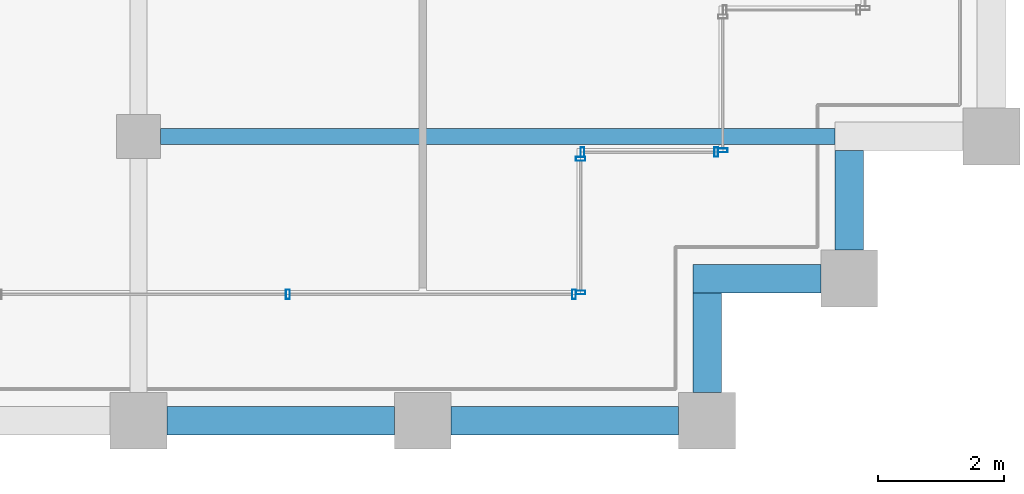
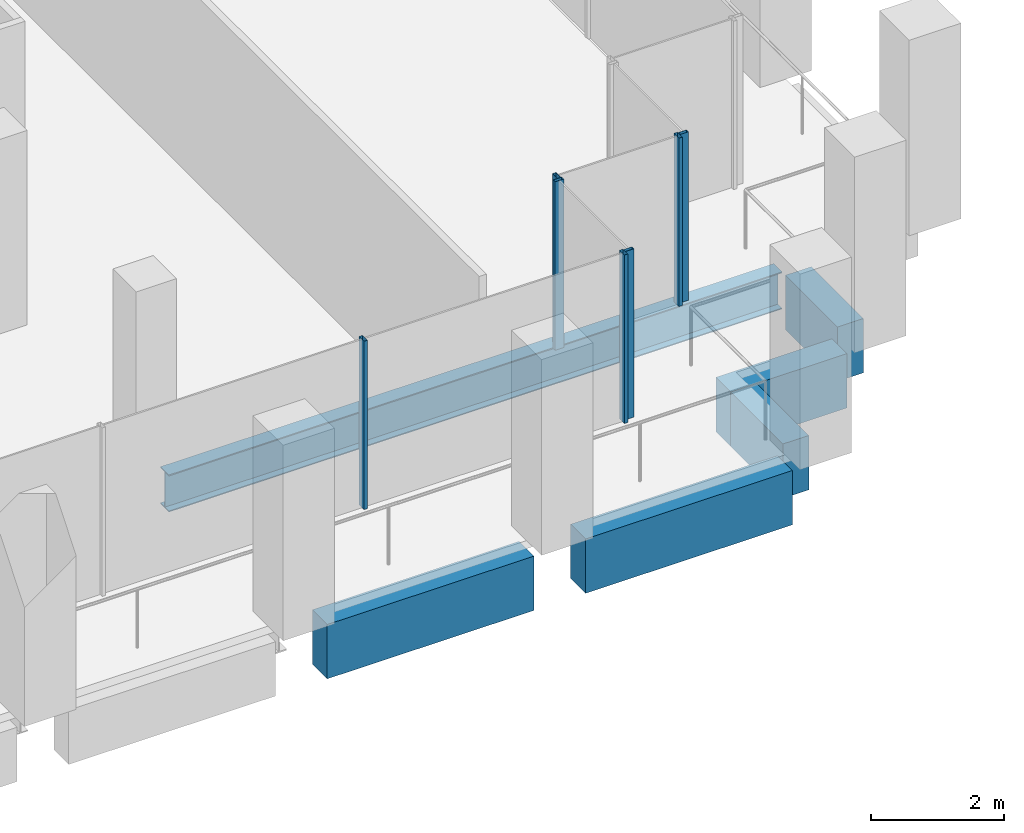
# One storey, part 12 of 40: 7 members, 6 beams, 4 elements without a shape of their own.
"""IFC4 building model written with IfcOpenShell, lengths in metres."""

from ifc_helpers import new_model, si_unit, direction, frame, origin, origin_2d, place, context, subcontext, project, spatial, rectangle, hollow_rectangle, i_section, extrude, material, material_profile, profile_set, type_object, element, aggregate, save


model = new_model("IFC4")

# Units and contexts
model_context = context("Model", 3, precision=1e-05, world=origin(), true_north=direction((0.0, 1.0)))
body_context = subcontext(model_context, "Body", "Model", "MODEL_VIEW")
ifc_project = project(units=[si_unit("LENGTHUNIT", "METRE"), si_unit("AREAUNIT", "SQUARE_METRE"), si_unit("VOLUMEUNIT", "CUBIC_METRE"), si_unit("PLANEANGLEUNIT", "RADIAN"), si_unit("MASSUNIT", "GRAM", prefix="KILO")], contexts=[model_context])

# Site, building, storey
site_placement = place(None, origin())
site = spatial("IfcSite", under=ifc_project, at=site_placement, CompositionType="ELEMENT")
building_placement = place(site_placement, origin())
building = spatial("IfcBuilding", under=site, at=building_placement, Name="Altepetl Exchange Towers", CompositionType="ELEMENT")
storey_placement = place(building_placement, frame((0.0, 0.0, 161.800048828125)))
storey = spatial("IfcBuildingStorey", under=building, at=storey_placement, Name="L40", CompositionType="ELEMENT", Elevation=161.800048828125)

# Beam
ifc_material_1 = material(Name="Steel S355", Category="steel")
ifc_material_profile_1 = material_profile(ifc_material_1, i_section(OverallWidth=0.25390625, OverallDepth=0.68408203125, WebThickness=0.012451171875, FlangeThickness=0.018798828125, at=origin_2d()), Name="W27X94")
ifc_profile_set_1 = profile_set([ifc_material_profile_1], Name="Steel S355")
beam_type_1 = type_object("IfcBeamType", Name="Floor beam W27X94", PredefinedType="BEAM", material=ifc_profile_set_1)
beam_1_placement = place(storey_placement, frame((58.85009765625, 31.5, -0.491943359375), z_axis=(1.0, 0.0, 0.0), x_axis=(0.0, 1.0, 0.0)))
element("IfcBeam", 1, at=beam_1_placement, inside=storey, type_object=beam_type_1, Name="bm:A:L40:006", PredefinedType="BEAM", context=body_context, shape_type="SweptSolid", body=[
    extrude(i_section(OverallWidth=0.25390625, OverallDepth=0.68408203125, WebThickness=0.012451171875, FlangeThickness=0.018798828125, at=origin_2d()), origin(), (0.0, 0.0, 1.0), 10.6748046875),
])

# Curtain wall, members
ifc_material_2 = material(Name="Aluminium 6063-T6 glazing", Category="aluminium")
curtain_wall_type = type_object("IfcCurtainWallType", Name="Loggia glazing system", PredefinedType="NOTDEFINED", material=ifc_material_2)
curtain_wall_1_placement = place(storey_placement, origin())
curtain_wall_1 = element("IfcCurtainWall", 2, at=curtain_wall_1_placement, inside=storey, type_object=curtain_wall_type, Name="CW1 run", PredefinedType="NOTDEFINED")
ifc_material_3 = material(Name="Aluminium 6063-T6", Category="aluminium")
ifc_material_profile_2 = material_profile(ifc_material_3, hollow_rectangle(XDim=0.06005859375, YDim=0.14990234375, WallThickness=0.0029296875, at=origin_2d()), Name="Mullion 60x150 aluminium")
ifc_profile_set_2 = profile_set([ifc_material_profile_2], Name="Aluminium 6063-T6")
member_type = type_object("IfcMemberType", Name="Mullion 60x150 aluminium", PredefinedType="MULLION", material=ifc_profile_set_2)
member_1_placement = place(storey_placement, frame((60.8642578125, 29.0, 0.0)))
member_1 = element("IfcMember", 3, at=member_1_placement, type_object=member_type, Name="MU1 mullion", PredefinedType="MULLION", context=body_context, shape_type="SweptSolid", body=[
    extrude(hollow_rectangle(XDim=0.06005859375, YDim=0.14990234375, WallThickness=0.0029296875, at=origin_2d()), origin(), (0.0, 0.0, 1.0), 3.099853515625),
])
member_2_placement = place(storey_placement, frame((65.39501953125, 29.0, 0.0)))
member_2 = element("IfcMember", 4, at=member_2_placement, type_object=member_type, Name="MU1 mullion", PredefinedType="MULLION", context=body_context, shape_type="SweptSolid", body=[
    extrude(hollow_rectangle(XDim=0.06005859375, YDim=0.14990234375, WallThickness=0.0029296875, at=origin_2d()), origin(), (0.0, 0.0, 1.0), 3.099853515625),
])
aggregate(curtain_wall_1, [member_1, member_2])

curtain_wall_2_placement = place(storey_placement, origin())
curtain_wall_2 = element("IfcCurtainWall", 5, at=curtain_wall_2_placement, inside=storey, type_object=curtain_wall_type, Name="CW1 run", PredefinedType="NOTDEFINED")
member_3_placement = place(storey_placement, frame((65.5, 29.030029296875, 0.0), z_axis=(0.0, 0.0, 1.0), x_axis=(0.0, 1.0, 0.0)))
member_3 = element("IfcMember", 6, at=member_3_placement, type_object=member_type, Name="MU1 mullion", PredefinedType="MULLION", context=body_context, shape_type="SweptSolid", body=[
    extrude(hollow_rectangle(XDim=0.06005859375, YDim=0.14990234375, WallThickness=0.0029296875, at=origin_2d()), origin(), (0.0, 0.0, 1.0), 3.099853515625),
])
member_4_placement = place(storey_placement, frame((65.5, 31.14501953125, 0.0), z_axis=(0.0, 0.0, 1.0), x_axis=(0.0, 1.0, 0.0)))
member_4 = element("IfcMember", 7, at=member_4_placement, type_object=member_type, Name="MU1 mullion", PredefinedType="MULLION", context=body_context, shape_type="SweptSolid", body=[
    extrude(hollow_rectangle(XDim=0.06005859375, YDim=0.14990234375, WallThickness=0.0029296875, at=origin_2d()), origin(), (0.0, 0.0, 1.0), 3.099853515625),
])
aggregate(curtain_wall_2, [member_3, member_4])

curtain_wall_3_placement = place(storey_placement, origin())
curtain_wall_3 = element("IfcCurtainWall", 8, at=curtain_wall_3_placement, inside=storey, type_object=curtain_wall_type, Name="CW1 run", PredefinedType="NOTDEFINED")
member_5_placement = place(storey_placement, frame((65.530029296875, 31.25, 0.0)))
member_5 = element("IfcMember", 9, at=member_5_placement, type_object=member_type, Name="MU1 mullion", PredefinedType="MULLION", context=body_context, shape_type="SweptSolid", body=[
    extrude(hollow_rectangle(XDim=0.06005859375, YDim=0.14990234375, WallThickness=0.0029296875, at=origin_2d()), origin(), (0.0, 0.0, 1.0), 3.099853515625),
])
member_6_placement = place(storey_placement, frame((67.64501953125, 31.25, 0.0)))
member_6 = element("IfcMember", 10, at=member_6_placement, type_object=member_type, Name="MU1 mullion", PredefinedType="MULLION", context=body_context, shape_type="SweptSolid", body=[
    extrude(hollow_rectangle(XDim=0.06005859375, YDim=0.14990234375, WallThickness=0.0029296875, at=origin_2d()), origin(), (0.0, 0.0, 1.0), 3.099853515625),
])
aggregate(curtain_wall_3, [member_5, member_6])

# Curtain wall, member
curtain_wall_4_placement = place(storey_placement, origin())
curtain_wall_4 = element("IfcCurtainWall", 11, at=curtain_wall_4_placement, inside=storey, type_object=curtain_wall_type, Name="CW1 run", PredefinedType="NOTDEFINED")
member_7_placement = place(storey_placement, frame((67.75, 31.280029296875, 0.0), z_axis=(0.0, 0.0, 1.0), x_axis=(0.0, 1.0, 0.0)))
member_7 = element("IfcMember", 12, at=member_7_placement, type_object=member_type, Name="MU1 mullion", PredefinedType="MULLION", context=body_context, shape_type="SweptSolid", body=[
    extrude(hollow_rectangle(XDim=0.06005859375, YDim=0.14990234375, WallThickness=0.0029296875, at=origin_2d()), origin(), (0.0, 0.0, 1.0), 3.099853515625),
])
aggregate(curtain_wall_4, [member_7])

# Beams
ifc_material_4 = material(Name="Concrete C50/60 precast with cantera amarilla facing", Category="concrete")
ifc_material_profile_3 = material_profile(ifc_material_4, rectangle(XDim=0.449951171875, YDim=1.0, at=origin_2d()), Name="450 x 1000")
ifc_profile_set_3 = profile_set([ifc_material_profile_3], Name="Concrete C50/60 precast with cantera amarilla facing")
beam_type_2 = type_object("IfcBeamType", Name="Spandrel beam 450x1000 cantera amarilla", PredefinedType="SPANDREL", material=ifc_profile_set_3)
for number, where, z_axis, x_axis, name in (
    (13, (58.949951171875, 27.0, -0.650146484375), (1.0, 0.0, 0.0), (0.0, 1.0, 0.0), "sp:A:L40:006"),
    (14, (63.449951171875, 27.0, -0.650146484375), (1.0, 0.0, 0.0), (0.0, 1.0, 0.0), "sp:A:L40:007"),
):
    element("IfcBeam", number, at=place(storey_placement, frame(where, z_axis=z_axis, x_axis=x_axis)), inside=storey, type_object=beam_type_2, Name=name, PredefinedType="SPANDREL", context=body_context, shape_type="SweptSolid", body=[
        extrude(rectangle(XDim=0.449951171875, YDim=1.0, at=origin_2d()), origin(), (0.0, 0.0, 1.0), 3.60009765625),
    ])
beam_2_placement = place(storey_placement, frame((67.5, 27.449951171875, -0.650146484375), z_axis=(0.0, 1.0, 0.0), x_axis=(-1.0, 0.0, 0.0)))
element("IfcBeam", 15, at=beam_2_placement, inside=storey, type_object=beam_type_2, Name="sp:A:L40:008", PredefinedType="SPANDREL", context=body_context, shape_type="SweptSolid", body=[
    extrude(rectangle(XDim=0.449951171875, YDim=1.0, at=origin_2d()), origin(), (0.0, 0.0, 1.0), 1.574951171875),
])
beam_3_placement = place(storey_placement, frame((67.27490234375, 29.25, -0.650146484375), z_axis=(1.0, 0.0, 0.0), x_axis=(0.0, 1.0, 0.0)))
element("IfcBeam", 16, at=beam_3_placement, inside=storey, type_object=beam_type_2, Name="sp:A:L40:009", PredefinedType="SPANDREL", context=body_context, shape_type="SweptSolid", body=[
    extrude(rectangle(XDim=0.449951171875, YDim=1.0, at=origin_2d()), origin(), (0.0, 0.0, 1.0), 2.025146484375),
])
beam_4_placement = place(storey_placement, frame((69.75, 29.699951171875, -0.650146484375), z_axis=(0.0, 1.0, 0.0), x_axis=(-1.0, 0.0, 0.0)))
element("IfcBeam", 17, at=beam_4_placement, inside=storey, type_object=beam_type_2, Name="sp:A:L40:010", PredefinedType="SPANDREL", context=body_context, shape_type="SweptSolid", body=[
    extrude(rectangle(XDim=0.449951171875, YDim=1.0, at=origin_2d()), origin(), (0.0, 0.0, 1.0), 1.574951171875),
])

save(model, "model.ifc")
